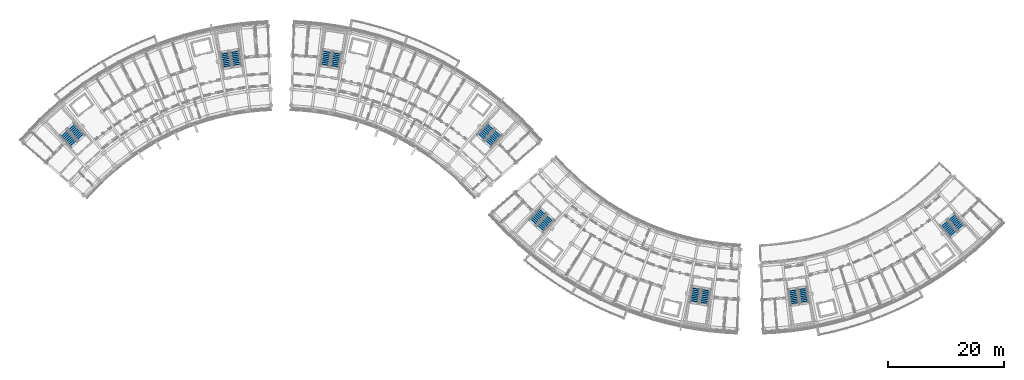
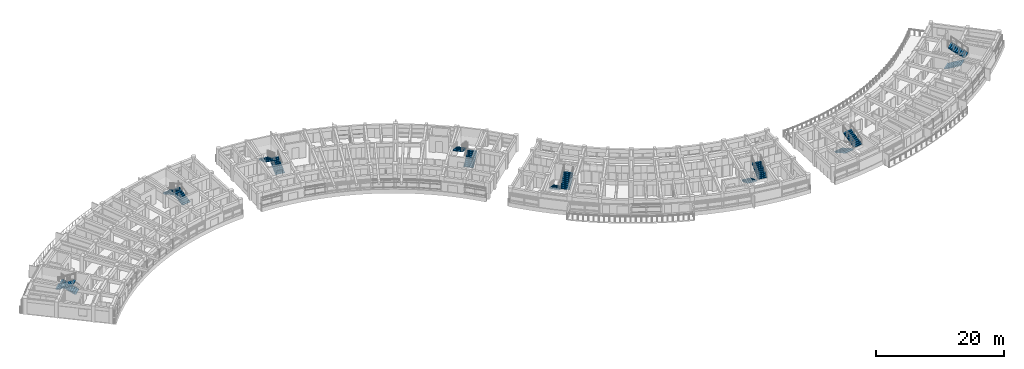
# One storey, part 40 of 54: 16 stair flights, 8 elements without a shape of their own.
"""IFC4 building model written with IfcOpenShell, lengths in metres."""

from ifc_helpers import new_model, si_unit, direction, frame, origin, place, context, subcontext, project, spatial, polyline, outline, extrude, material, type_object, element, aggregate, save


model = new_model("IFC4")

# Units and contexts
model_context = context("Model", 3, precision=1e-05, world=origin(), true_north=direction((0.0, 1.0)))
body_context = subcontext(model_context, "Body", "Model", "MODEL_VIEW")
ifc_project = project(units=[si_unit("LENGTHUNIT", "METRE"), si_unit("AREAUNIT", "SQUARE_METRE"), si_unit("VOLUMEUNIT", "CUBIC_METRE"), si_unit("PLANEANGLEUNIT", "RADIAN"), si_unit("MASSUNIT", "GRAM", prefix="KILO")], contexts=[model_context])

# Site, building, storey
site_placement = place(None, origin())
site = spatial("IfcSite", under=ifc_project, at=site_placement, CompositionType="ELEMENT")
building_placement = place(site_placement, origin())
building = spatial("IfcBuilding", under=site, at=building_placement, Name="Zimvara Arc Housing Community", CompositionType="ELEMENT")
storey_placement = place(building_placement, frame((0.0, 0.0, 20.5)))
storey = spatial("IfcBuildingStorey", under=building, at=storey_placement, Name="L06", CompositionType="ELEMENT", Elevation=20.5)

# Stair, stair flights
ifc_material_1 = material(Name="Concrete C35/45", Category="concrete")
stair_type_1 = type_object("IfcStairType", Name="STR-DL-310-310", PredefinedType="HALF_TURN_STAIR", material=ifc_material_1)
stair_1_placement = place(storey_placement, origin())
stair_1 = element("IfcStair", 1, at=stair_1_placement, inside=storey, type_object=stair_type_1, Name="L06 Block C Exit Stair 2", PredefinedType="HALF_TURN_STAIR")
ifc_material_2 = material(Name="Concrete C35/45", Category="concrete")
stair_flight_type_1 = type_object("IfcStairFlightType", Name="STF-DL-310-310", PredefinedType="STRAIGHT", material=ifc_material_2)
stair_flight_1_placement = place(storey_placement, frame((116.7353515625, 58.27490234375, 0.0), z_axis=(0.0, 0.0, 1.0), x_axis=(-0.160225753504, -0.987080395872, 0.0)))
stair_flight_1 = element("IfcStairFlight", 2, at=stair_flight_1_placement, type_object=stair_flight_type_1, Name="ST-C2 flight 1", NumberOfRisers=10, NumberOfTreads=9, PredefinedType="STRAIGHT", RiserHeight=0.155, TreadLength=0.31, context=body_context, shape_type="SweptSolid", body=[
    extrude(outline(polyline([(0.0, 0.0), (0.0, 0.155029296875), (0.31005859375, 0.155029296875), (0.31005859375, 0.31005859375), (0.6201171875, 0.31005859375), (0.6201171875, 0.465087890625), (0.929931640625, 0.465087890625), (0.929931640625, 0.6201171875), (1.239990234375, 0.6201171875), (1.239990234375, 0.77490234375), (1.550048828125, 0.77490234375), (1.550048828125, 0.929931640625), (1.860107421875, 0.929931640625), (1.860107421875, 1.0849609375), (2.169921875, 1.0849609375), (2.169921875, 1.239990234375), (2.47998046875, 1.239990234375), (2.47998046875, 1.39501953125), (2.7900390625, 1.39501953125), (2.7900390625, 1.550048828125), (2.7900390625, 1.227294921875), (0.335205078125, 0.0), (0.0, 0.0)])), frame((0.0, 0.780029296875, 0.0), z_axis=(0.0, -1.0, 0.0), x_axis=(1.0, 0.0, 0.0)), (0.0, 0.0, 1.0), 1.56005859375),
])
stair_flight_2_placement = place(storey_placement, frame((117.986083984375, 55.2451171875, 1.550048828125), z_axis=(0.0, 0.0, 1.0), x_axis=(0.160225753504, 0.987080395872, 0.0)))
stair_flight_2 = element("IfcStairFlight", 3, at=stair_flight_2_placement, type_object=stair_flight_type_1, Name="ST-C2 flight 2", NumberOfRisers=10, NumberOfTreads=9, PredefinedType="STRAIGHT", RiserHeight=0.155, TreadLength=0.31, context=body_context, shape_type="SweptSolid", body=[
    extrude(outline(polyline([(0.0, 0.0), (0.0, 0.155029296875), (0.31005859375, 0.155029296875), (0.31005859375, 0.31005859375), (0.6201171875, 0.31005859375), (0.6201171875, 0.465087890625), (0.929931640625, 0.465087890625), (0.929931640625, 0.6201171875), (1.239990234375, 0.6201171875), (1.239990234375, 0.77490234375), (1.550048828125, 0.77490234375), (1.550048828125, 0.929931640625), (1.860107421875, 0.929931640625), (1.860107421875, 1.0849609375), (2.169921875, 1.0849609375), (2.169921875, 1.239990234375), (2.47998046875, 1.239990234375), (2.47998046875, 1.39501953125), (2.7900390625, 1.39501953125), (2.7900390625, 1.550048828125), (2.7900390625, 1.227294921875), (0.335205078125, 0.0), (0.0, 0.0)])), frame((0.0, 0.780029296875, 0.0), z_axis=(0.0, -1.0, 0.0), x_axis=(1.0, 0.0, 0.0)), (0.0, 0.0, 1.0), 1.56005859375),
])
aggregate(stair_1, [stair_flight_1, stair_flight_2])

stair_2_placement = place(storey_placement, origin())
stair_2 = element("IfcStair", 4, at=stair_2_placement, inside=storey, type_object=stair_type_1, Name="L06 Block D Exit Stair 1", PredefinedType="HALF_TURN_STAIR")
stair_flight_3_placement = place(storey_placement, frame((133.282470703125, 57.964111328125, 0.0), z_axis=(0.0, 0.0, 1.0), x_axis=(0.155572484907, -0.987824479318, 0.0)))
stair_flight_3 = element("IfcStairFlight", 5, at=stair_flight_3_placement, type_object=stair_flight_type_1, Name="ST-D1 flight 1", NumberOfRisers=10, NumberOfTreads=9, PredefinedType="STRAIGHT", RiserHeight=0.155, TreadLength=0.31, context=body_context, shape_type="SweptSolid", body=[
    extrude(outline(polyline([(0.0, 0.0), (0.0, 0.155029296875), (0.31005859375, 0.155029296875), (0.31005859375, 0.31005859375), (0.6201171875, 0.31005859375), (0.6201171875, 0.465087890625), (0.929931640625, 0.465087890625), (0.929931640625, 0.6201171875), (1.239990234375, 0.6201171875), (1.239990234375, 0.77490234375), (1.550048828125, 0.77490234375), (1.550048828125, 0.929931640625), (1.860107421875, 0.929931640625), (1.860107421875, 1.0849609375), (2.169921875, 1.0849609375), (2.169921875, 1.239990234375), (2.47998046875, 1.239990234375), (2.47998046875, 1.39501953125), (2.7900390625, 1.39501953125), (2.7900390625, 1.550048828125), (2.7900390625, 1.227294921875), (0.335205078125, 0.0), (0.0, 0.0)])), frame((0.0, 0.780029296875, 0.0), z_axis=(0.0, -1.0, 0.0), x_axis=(1.0, 0.0, 0.0)), (0.0, 0.0, 1.0), 1.56005859375),
])
stair_flight_4_placement = place(storey_placement, frame((135.41552734375, 55.475830078125, 1.550048828125), z_axis=(0.0, 0.0, 1.0), x_axis=(-0.155572484907, 0.987824479318, 0.0)))
stair_flight_4 = element("IfcStairFlight", 6, at=stair_flight_4_placement, type_object=stair_flight_type_1, Name="ST-D1 flight 2", NumberOfRisers=10, NumberOfTreads=9, PredefinedType="STRAIGHT", RiserHeight=0.155, TreadLength=0.31, context=body_context, shape_type="SweptSolid", body=[
    extrude(outline(polyline([(0.0, 0.0), (0.0, 0.155029296875), (0.31005859375, 0.155029296875), (0.31005859375, 0.31005859375), (0.6201171875, 0.31005859375), (0.6201171875, 0.465087890625), (0.929931640625, 0.465087890625), (0.929931640625, 0.6201171875), (1.239990234375, 0.6201171875), (1.239990234375, 0.77490234375), (1.550048828125, 0.77490234375), (1.550048828125, 0.929931640625), (1.860107421875, 0.929931640625), (1.860107421875, 1.0849609375), (2.169921875, 1.0849609375), (2.169921875, 1.239990234375), (2.47998046875, 1.239990234375), (2.47998046875, 1.39501953125), (2.7900390625, 1.39501953125), (2.7900390625, 1.550048828125), (2.7900390625, 1.227294921875), (0.335205078125, 0.0), (0.0, 0.0)])), frame((0.0, 0.780029296875, 0.0), z_axis=(0.0, -1.0, 0.0), x_axis=(1.0, 0.0, 0.0)), (0.0, 0.0, 1.0), 1.56005859375),
])
aggregate(stair_2, [stair_flight_3, stair_flight_4])

ifc_material_3 = material(Name="Concrete C35/45", Category="concrete")
stair_type_2 = type_object("IfcStairType", Name="STR-DL-312-310", PredefinedType="HALF_TURN_STAIR", material=ifc_material_3)
stair_3_placement = place(storey_placement, origin())
stair_3 = element("IfcStair", 7, at=stair_3_placement, inside=storey, type_object=stair_type_2, Name="L06 Block A Exit Stair 1", PredefinedType="HALF_TURN_STAIR")
ifc_material_4 = material(Name="Concrete C35/45", Category="concrete")
stair_flight_type_2 = type_object("IfcStairFlightType", Name="STF-DL-312-310", PredefinedType="STRAIGHT", material=ifc_material_4)
stair_flight_5_placement = place(storey_placement, frame((10.590576171875, 84.0283203125, 0.0), z_axis=(0.0, 0.0, 1.0), x_axis=(-0.668871159118, 0.743378350842, 0.0)))
stair_flight_5 = element("IfcStairFlight", 8, at=stair_flight_5_placement, type_object=stair_flight_type_2, Name="ST-A1 flight 1", NumberOfRisers=10, NumberOfTreads=9, PredefinedType="STRAIGHT", RiserHeight=0.155, TreadLength=0.312, context=body_context, shape_type="SweptSolid", body=[
    extrude(outline(polyline([(0.0, 0.0), (0.0, 0.155029296875), (0.31201171875, 0.155029296875), (0.31201171875, 0.31005859375), (0.6240234375, 0.31005859375), (0.6240234375, 0.465087890625), (0.93603515625, 0.465087890625), (0.93603515625, 0.6201171875), (1.248046875, 0.6201171875), (1.248046875, 0.77490234375), (1.56005859375, 0.77490234375), (1.56005859375, 0.929931640625), (1.8720703125, 0.929931640625), (1.8720703125, 1.0849609375), (2.18408203125, 1.0849609375), (2.18408203125, 1.239990234375), (2.49609375, 1.239990234375), (2.49609375, 1.39501953125), (2.80810546875, 1.39501953125), (2.80810546875, 1.550048828125), (2.80810546875, 1.2275390625), (0.3369140625, 0.0), (0.0, 0.0)])), frame((0.0, 0.780029296875, 0.0), z_axis=(0.0, -1.0, 0.0), x_axis=(1.0, 0.0, 0.0)), (0.0, 0.0, 1.0), 1.56005859375),
])
stair_flight_6_placement = place(storey_placement, frame((7.43359375, 84.965087890625, 1.550048828125), z_axis=(0.0, 0.0, 1.0), x_axis=(0.668871159118, -0.743378350842, 0.0)))
stair_flight_6 = element("IfcStairFlight", 9, at=stair_flight_6_placement, type_object=stair_flight_type_2, Name="ST-A1 flight 2", NumberOfRisers=10, NumberOfTreads=9, PredefinedType="STRAIGHT", RiserHeight=0.155, TreadLength=0.312, context=body_context, shape_type="SweptSolid", body=[
    extrude(outline(polyline([(0.0, 0.0), (0.0, 0.155029296875), (0.31201171875, 0.155029296875), (0.31201171875, 0.31005859375), (0.6240234375, 0.31005859375), (0.6240234375, 0.465087890625), (0.93603515625, 0.465087890625), (0.93603515625, 0.6201171875), (1.248046875, 0.6201171875), (1.248046875, 0.77490234375), (1.56005859375, 0.77490234375), (1.56005859375, 0.929931640625), (1.8720703125, 0.929931640625), (1.8720703125, 1.0849609375), (2.18408203125, 1.0849609375), (2.18408203125, 1.239990234375), (2.49609375, 1.239990234375), (2.49609375, 1.39501953125), (2.80810546875, 1.39501953125), (2.80810546875, 1.550048828125), (2.80810546875, 1.2275390625), (0.3369140625, 0.0), (0.0, 0.0)])), frame((0.0, 0.780029296875, 0.0), z_axis=(0.0, -1.0, 0.0), x_axis=(1.0, 0.0, 0.0)), (0.0, 0.0, 1.0), 1.56005859375),
])
aggregate(stair_3, [stair_flight_5, stair_flight_6])

stair_4_placement = place(storey_placement, origin())
stair_4 = element("IfcStair", 10, at=stair_4_placement, inside=storey, type_object=stair_type_2, Name="L06 Block D Exit Stair 2", PredefinedType="HALF_TURN_STAIR")
stair_flight_7_placement = place(storey_placement, frame((159.32177734375, 69.427001953125, 0.0), z_axis=(0.0, 0.0, 1.0), x_axis=(0.648784221735, -0.760972426325, 0.0)))
stair_flight_7 = element("IfcStairFlight", 11, at=stair_flight_7_placement, type_object=stair_flight_type_2, Name="ST-D2 flight 1", NumberOfRisers=10, NumberOfTreads=9, PredefinedType="STRAIGHT", RiserHeight=0.155, TreadLength=0.312, context=body_context, shape_type="SweptSolid", body=[
    extrude(outline(polyline([(0.0, 0.0), (0.0, 0.155029296875), (0.31201171875, 0.155029296875), (0.31201171875, 0.31005859375), (0.6240234375, 0.31005859375), (0.6240234375, 0.465087890625), (0.93603515625, 0.465087890625), (0.93603515625, 0.6201171875), (1.248046875, 0.6201171875), (1.248046875, 0.77490234375), (1.56005859375, 0.77490234375), (1.56005859375, 0.929931640625), (1.8720703125, 0.929931640625), (1.8720703125, 1.0849609375), (2.18408203125, 1.0849609375), (2.18408203125, 1.239990234375), (2.49609375, 1.239990234375), (2.49609375, 1.39501953125), (2.80810546875, 1.39501953125), (2.80810546875, 1.550048828125), (2.80810546875, 1.2275390625), (0.3369140625, 0.0), (0.0, 0.0)])), frame((0.0, 0.780029296875, 0.0), z_axis=(0.0, -1.0, 0.0), x_axis=(1.0, 0.0, 0.0)), (0.0, 0.0, 1.0), 1.56005859375),
])
stair_flight_8_placement = place(storey_placement, frame((162.45263671875, 68.40625, 1.550048828125), z_axis=(0.0, 0.0, 1.0), x_axis=(-0.648784221735, 0.760972426325, 0.0)))
stair_flight_8 = element("IfcStairFlight", 12, at=stair_flight_8_placement, type_object=stair_flight_type_2, Name="ST-D2 flight 2", NumberOfRisers=10, NumberOfTreads=9, PredefinedType="STRAIGHT", RiserHeight=0.155, TreadLength=0.312, context=body_context, shape_type="SweptSolid", body=[
    extrude(outline(polyline([(0.0, 0.0), (0.0, 0.155029296875), (0.31201171875, 0.155029296875), (0.31201171875, 0.31005859375), (0.6240234375, 0.31005859375), (0.6240234375, 0.465087890625), (0.93603515625, 0.465087890625), (0.93603515625, 0.6201171875), (1.248046875, 0.6201171875), (1.248046875, 0.77490234375), (1.56005859375, 0.77490234375), (1.56005859375, 0.929931640625), (1.8720703125, 0.929931640625), (1.8720703125, 1.0849609375), (2.18408203125, 1.0849609375), (2.18408203125, 1.239990234375), (2.49609375, 1.239990234375), (2.49609375, 1.39501953125), (2.80810546875, 1.39501953125), (2.80810546875, 1.550048828125), (2.80810546875, 1.2275390625), (0.3369140625, 0.0), (0.0, 0.0)])), frame((0.0, 0.780029296875, 0.0), z_axis=(0.0, -1.0, 0.0), x_axis=(1.0, 0.0, 0.0)), (0.0, 0.0, 1.0), 1.56005859375),
])
aggregate(stair_4, [stair_flight_7, stair_flight_8])

ifc_material_5 = material(Name="Concrete C35/45", Category="concrete")
stair_type_3 = type_object("IfcStairType", Name="STR-DL-315-310", PredefinedType="HALF_TURN_STAIR", material=ifc_material_5)
stair_5_placement = place(storey_placement, origin())
stair_5 = element("IfcStair", 13, at=stair_5_placement, inside=storey, type_object=stair_type_3, Name="L06 Block A Exit Stair 2", PredefinedType="HALF_TURN_STAIR")
ifc_material_6 = material(Name="Concrete C35/45", Category="concrete")
stair_flight_type_3 = type_object("IfcStairFlightType", Name="STF-DL-315-310", PredefinedType="STRAIGHT", material=ifc_material_6)
stair_flight_9_placement = place(storey_placement, frame((37.453125, 96.36083984375, 0.0), z_axis=(0.0, 0.0, 1.0), x_axis=(-0.160225753504, 0.987080395872, 0.0)))
stair_flight_9 = element("IfcStairFlight", 14, at=stair_flight_9_placement, type_object=stair_flight_type_3, Name="ST-A2 flight 1", NumberOfRisers=10, NumberOfTreads=9, PredefinedType="STRAIGHT", RiserHeight=0.155, TreadLength=0.315, context=body_context, shape_type="SweptSolid", body=[
    extrude(outline(polyline([(0.0, 0.0), (0.0, 0.155029296875), (0.31494140625, 0.155029296875), (0.31494140625, 0.31005859375), (0.6298828125, 0.31005859375), (0.6298828125, 0.465087890625), (0.945068359375, 0.465087890625), (0.945068359375, 0.6201171875), (1.260009765625, 0.6201171875), (1.260009765625, 0.77490234375), (1.574951171875, 0.77490234375), (1.574951171875, 0.929931640625), (1.889892578125, 0.929931640625), (1.889892578125, 1.0849609375), (2.205078125, 1.0849609375), (2.205078125, 1.239990234375), (2.52001953125, 1.239990234375), (2.52001953125, 1.39501953125), (2.8349609375, 1.39501953125), (2.8349609375, 1.550048828125), (2.8349609375, 1.22802734375), (0.339599609375, 0.0), (0.0, 0.0)])), frame((0.0, 0.780029296875, 0.0), z_axis=(0.0, -1.0, 0.0), x_axis=(1.0, 0.0, 0.0)), (0.0, 0.0, 1.0), 1.56005859375),
])
stair_flight_10_placement = place(storey_placement, frame((35.301025390625, 98.883544921875, 1.550048828125), z_axis=(0.0, 0.0, 1.0), x_axis=(0.160225753504, -0.987080395872, 0.0)))
stair_flight_10 = element("IfcStairFlight", 15, at=stair_flight_10_placement, type_object=stair_flight_type_3, Name="ST-A2 flight 2", NumberOfRisers=10, NumberOfTreads=9, PredefinedType="STRAIGHT", RiserHeight=0.155, TreadLength=0.315, context=body_context, shape_type="SweptSolid", body=[
    extrude(outline(polyline([(0.0, 0.0), (0.0, 0.155029296875), (0.31494140625, 0.155029296875), (0.31494140625, 0.31005859375), (0.6298828125, 0.31005859375), (0.6298828125, 0.465087890625), (0.945068359375, 0.465087890625), (0.945068359375, 0.6201171875), (1.260009765625, 0.6201171875), (1.260009765625, 0.77490234375), (1.574951171875, 0.77490234375), (1.574951171875, 0.929931640625), (1.889892578125, 0.929931640625), (1.889892578125, 1.0849609375), (2.205078125, 1.0849609375), (2.205078125, 1.239990234375), (2.52001953125, 1.239990234375), (2.52001953125, 1.39501953125), (2.8349609375, 1.39501953125), (2.8349609375, 1.550048828125), (2.8349609375, 1.22802734375), (0.339599609375, 0.0), (0.0, 0.0)])), frame((0.0, 0.780029296875, 0.0), z_axis=(0.0, -1.0, 0.0), x_axis=(1.0, 0.0, 0.0)), (0.0, 0.0, 1.0), 1.56005859375),
])
aggregate(stair_5, [stair_flight_9, stair_flight_10])

stair_6_placement = place(storey_placement, origin())
stair_6 = element("IfcStair", 16, at=stair_6_placement, inside=storey, type_object=stair_type_3, Name="L06 Block B Exit Stair 1", PredefinedType="HALF_TURN_STAIR")
stair_flight_11_placement = place(storey_placement, frame((54.24462890625, 96.085205078125, 0.0), z_axis=(0.0, 0.0, 1.0), x_axis=(0.160225753504, 0.987080395872, 0.0)))
stair_flight_11 = element("IfcStairFlight", 17, at=stair_flight_11_placement, type_object=stair_flight_type_3, Name="ST-B1 flight 1", NumberOfRisers=10, NumberOfTreads=9, PredefinedType="STRAIGHT", RiserHeight=0.155, TreadLength=0.315, context=body_context, shape_type="SweptSolid", body=[
    extrude(outline(polyline([(0.0, 0.0), (0.0, 0.155029296875), (0.31494140625, 0.155029296875), (0.31494140625, 0.31005859375), (0.6298828125, 0.31005859375), (0.6298828125, 0.465087890625), (0.945068359375, 0.465087890625), (0.945068359375, 0.6201171875), (1.260009765625, 0.6201171875), (1.260009765625, 0.77490234375), (1.574951171875, 0.77490234375), (1.574951171875, 0.929931640625), (1.889892578125, 0.929931640625), (1.889892578125, 1.0849609375), (2.205078125, 1.0849609375), (2.205078125, 1.239990234375), (2.52001953125, 1.239990234375), (2.52001953125, 1.39501953125), (2.8349609375, 1.39501953125), (2.8349609375, 1.550048828125), (2.8349609375, 1.22802734375), (0.339599609375, 0.0), (0.0, 0.0)])), frame((0.0, 0.780029296875, 0.0), z_axis=(0.0, -1.0, 0.0), x_axis=(1.0, 0.0, 0.0)), (0.0, 0.0, 1.0), 1.56005859375),
])
stair_flight_12_placement = place(storey_placement, frame((53.001220703125, 99.1591796875, 1.550048828125), z_axis=(0.0, 0.0, 1.0), x_axis=(-0.160225753504, -0.987080395872, 0.0)))
stair_flight_12 = element("IfcStairFlight", 18, at=stair_flight_12_placement, type_object=stair_flight_type_3, Name="ST-B1 flight 2", NumberOfRisers=10, NumberOfTreads=9, PredefinedType="STRAIGHT", RiserHeight=0.155, TreadLength=0.315, context=body_context, shape_type="SweptSolid", body=[
    extrude(outline(polyline([(0.0, 0.0), (0.0, 0.155029296875), (0.31494140625, 0.155029296875), (0.31494140625, 0.31005859375), (0.6298828125, 0.31005859375), (0.6298828125, 0.465087890625), (0.945068359375, 0.465087890625), (0.945068359375, 0.6201171875), (1.260009765625, 0.6201171875), (1.260009765625, 0.77490234375), (1.574951171875, 0.77490234375), (1.574951171875, 0.929931640625), (1.889892578125, 0.929931640625), (1.889892578125, 1.0849609375), (2.205078125, 1.0849609375), (2.205078125, 1.239990234375), (2.52001953125, 1.239990234375), (2.52001953125, 1.39501953125), (2.8349609375, 1.39501953125), (2.8349609375, 1.550048828125), (2.8349609375, 1.22802734375), (0.339599609375, 0.0), (0.0, 0.0)])), frame((0.0, 0.780029296875, 0.0), z_axis=(0.0, -1.0, 0.0), x_axis=(1.0, 0.0, 0.0)), (0.0, 0.0, 1.0), 1.56005859375),
])
aggregate(stair_6, [stair_flight_11, stair_flight_12])

ifc_material_7 = material(Name="Concrete C35/45", Category="concrete")
stair_type_4 = type_object("IfcStairType", Name="STR-DL-318-310", PredefinedType="HALF_TURN_STAIR", material=ifc_material_7)
stair_7_placement = place(storey_placement, origin())
stair_7 = element("IfcStair", 19, at=stair_7_placement, inside=storey, type_object=stair_type_4, Name="L06 Block B Exit Stair 2", PredefinedType="HALF_TURN_STAIR")
ifc_material_8 = material(Name="Concrete C35/45", Category="concrete")
stair_flight_type_4 = type_object("IfcStairFlightType", Name="STF-DL-318-310", PredefinedType="STRAIGHT", material=ifc_material_8)
stair_flight_13_placement = place(storey_placement, frame((80.688232421875, 82.877685546875, 0.0), z_axis=(0.0, 0.0, 1.0), x_axis=(0.668871159118, 0.743378350842, 0.0)))
stair_flight_13 = element("IfcStairFlight", 20, at=stair_flight_13_placement, type_object=stair_flight_type_4, Name="ST-B2 flight 1", NumberOfRisers=10, NumberOfTreads=9, PredefinedType="STRAIGHT", RiserHeight=0.155, TreadLength=0.318, context=body_context, shape_type="SweptSolid", body=[
    extrude(outline(polyline([(0.0, 0.0), (0.0, 0.155029296875), (0.318115234375, 0.155029296875), (0.318115234375, 0.31005859375), (0.635986328125, 0.31005859375), (0.635986328125, 0.465087890625), (0.9541015625, 0.465087890625), (0.9541015625, 0.6201171875), (1.27197265625, 0.6201171875), (1.27197265625, 0.77490234375), (1.590087890625, 0.77490234375), (1.590087890625, 0.929931640625), (1.907958984375, 0.929931640625), (1.907958984375, 1.0849609375), (2.22607421875, 1.0849609375), (2.22607421875, 1.239990234375), (2.5439453125, 1.239990234375), (2.5439453125, 1.39501953125), (2.862060546875, 1.39501953125), (2.862060546875, 1.550048828125), (2.862060546875, 1.228271484375), (0.342041015625, 0.0), (0.0, 0.0)])), frame((0.0, 0.780029296875, 0.0), z_axis=(0.0, -1.0, 0.0), x_axis=(1.0, 0.0, 0.0)), (0.0, 0.0, 1.0), 1.56005859375),
])
stair_flight_14_placement = place(storey_placement, frame((81.323974609375, 86.15576171875, 1.550048828125), z_axis=(0.0, 0.0, 1.0), x_axis=(-0.668871159118, -0.743378350842, 0.0)))
stair_flight_14 = element("IfcStairFlight", 21, at=stair_flight_14_placement, type_object=stair_flight_type_4, Name="ST-B2 flight 2", NumberOfRisers=10, NumberOfTreads=9, PredefinedType="STRAIGHT", RiserHeight=0.155, TreadLength=0.318, context=body_context, shape_type="SweptSolid", body=[
    extrude(outline(polyline([(0.0, 0.0), (0.0, 0.155029296875), (0.318115234375, 0.155029296875), (0.318115234375, 0.31005859375), (0.635986328125, 0.31005859375), (0.635986328125, 0.465087890625), (0.9541015625, 0.465087890625), (0.9541015625, 0.6201171875), (1.27197265625, 0.6201171875), (1.27197265625, 0.77490234375), (1.590087890625, 0.77490234375), (1.590087890625, 0.929931640625), (1.907958984375, 0.929931640625), (1.907958984375, 1.0849609375), (2.22607421875, 1.0849609375), (2.22607421875, 1.239990234375), (2.5439453125, 1.239990234375), (2.5439453125, 1.39501953125), (2.862060546875, 1.39501953125), (2.862060546875, 1.550048828125), (2.862060546875, 1.228271484375), (0.342041015625, 0.0), (0.0, 0.0)])), frame((0.0, 0.780029296875, 0.0), z_axis=(0.0, -1.0, 0.0), x_axis=(1.0, 0.0, 0.0)), (0.0, 0.0, 1.0), 1.56005859375),
])
aggregate(stair_7, [stair_flight_13, stair_flight_14])

stair_8_placement = place(storey_placement, origin())
stair_8 = element("IfcStair", 22, at=stair_8_placement, inside=storey, type_object=stair_type_4, Name="L06 Block C Exit Stair 1", PredefinedType="HALF_TURN_STAIR")
stair_flight_15_placement = place(storey_placement, frame((90.291748046875, 71.482177734375, 0.0), z_axis=(0.0, 0.0, 1.0), x_axis=(-0.668871159118, -0.743378350842, 0.0)))
stair_flight_15 = element("IfcStairFlight", 23, at=stair_flight_15_placement, type_object=stair_flight_type_4, Name="ST-C1 flight 1", NumberOfRisers=10, NumberOfTreads=9, PredefinedType="STRAIGHT", RiserHeight=0.155, TreadLength=0.318, context=body_context, shape_type="SweptSolid", body=[
    extrude(outline(polyline([(0.0, 0.0), (0.0, 0.155029296875), (0.318115234375, 0.155029296875), (0.318115234375, 0.31005859375), (0.635986328125, 0.31005859375), (0.635986328125, 0.465087890625), (0.9541015625, 0.465087890625), (0.9541015625, 0.6201171875), (1.27197265625, 0.6201171875), (1.27197265625, 0.77490234375), (1.590087890625, 0.77490234375), (1.590087890625, 0.929931640625), (1.907958984375, 0.929931640625), (1.907958984375, 1.0849609375), (2.22607421875, 1.0849609375), (2.22607421875, 1.239990234375), (2.5439453125, 1.239990234375), (2.5439453125, 1.39501953125), (2.862060546875, 1.39501953125), (2.862060546875, 1.550048828125), (2.862060546875, 1.228271484375), (0.342041015625, 0.0), (0.0, 0.0)])), frame((0.0, 0.780029296875, 0.0), z_axis=(0.0, -1.0, 0.0), x_axis=(1.0, 0.0, 0.0)), (0.0, 0.0, 1.0), 1.56005859375),
])
stair_flight_16_placement = place(storey_placement, frame((89.65625, 68.2041015625, 1.550048828125), z_axis=(0.0, 0.0, 1.0), x_axis=(0.668871159118, 0.743378350842, 0.0)))
stair_flight_16 = element("IfcStairFlight", 24, at=stair_flight_16_placement, type_object=stair_flight_type_4, Name="ST-C1 flight 2", NumberOfRisers=10, NumberOfTreads=9, PredefinedType="STRAIGHT", RiserHeight=0.155, TreadLength=0.318, context=body_context, shape_type="SweptSolid", body=[
    extrude(outline(polyline([(0.0, 0.0), (0.0, 0.155029296875), (0.318115234375, 0.155029296875), (0.318115234375, 0.31005859375), (0.635986328125, 0.31005859375), (0.635986328125, 0.465087890625), (0.9541015625, 0.465087890625), (0.9541015625, 0.6201171875), (1.27197265625, 0.6201171875), (1.27197265625, 0.77490234375), (1.590087890625, 0.77490234375), (1.590087890625, 0.929931640625), (1.907958984375, 0.929931640625), (1.907958984375, 1.0849609375), (2.22607421875, 1.0849609375), (2.22607421875, 1.239990234375), (2.5439453125, 1.239990234375), (2.5439453125, 1.39501953125), (2.862060546875, 1.39501953125), (2.862060546875, 1.550048828125), (2.862060546875, 1.228271484375), (0.342041015625, 0.0), (0.0, 0.0)])), frame((0.0, 0.780029296875, 0.0), z_axis=(0.0, -1.0, 0.0), x_axis=(1.0, 0.0, 0.0)), (0.0, 0.0, 1.0), 1.56005859375),
])
aggregate(stair_8, [stair_flight_15, stair_flight_16])

save(model, "model.ifc")
